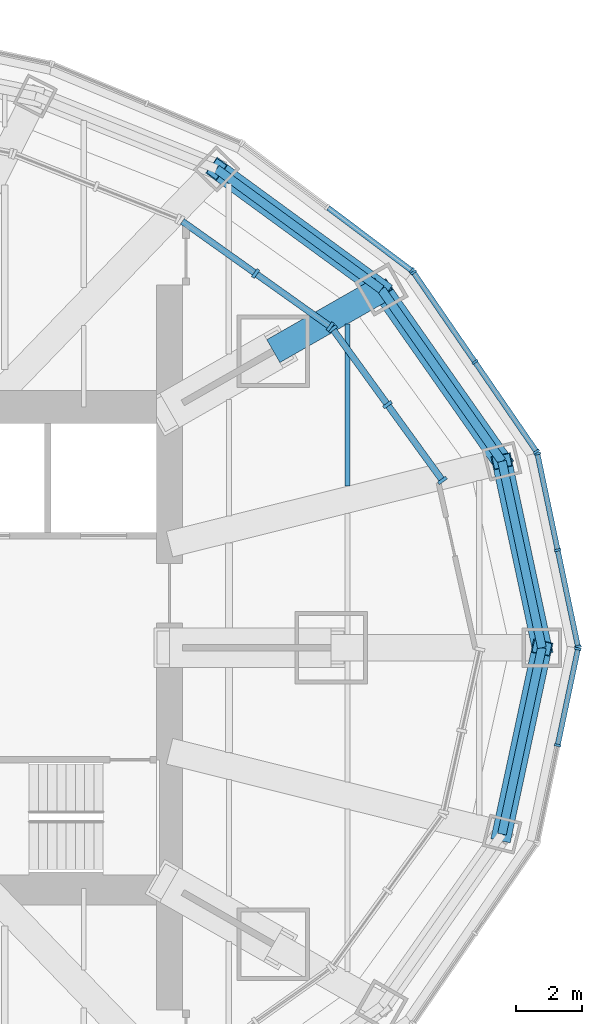
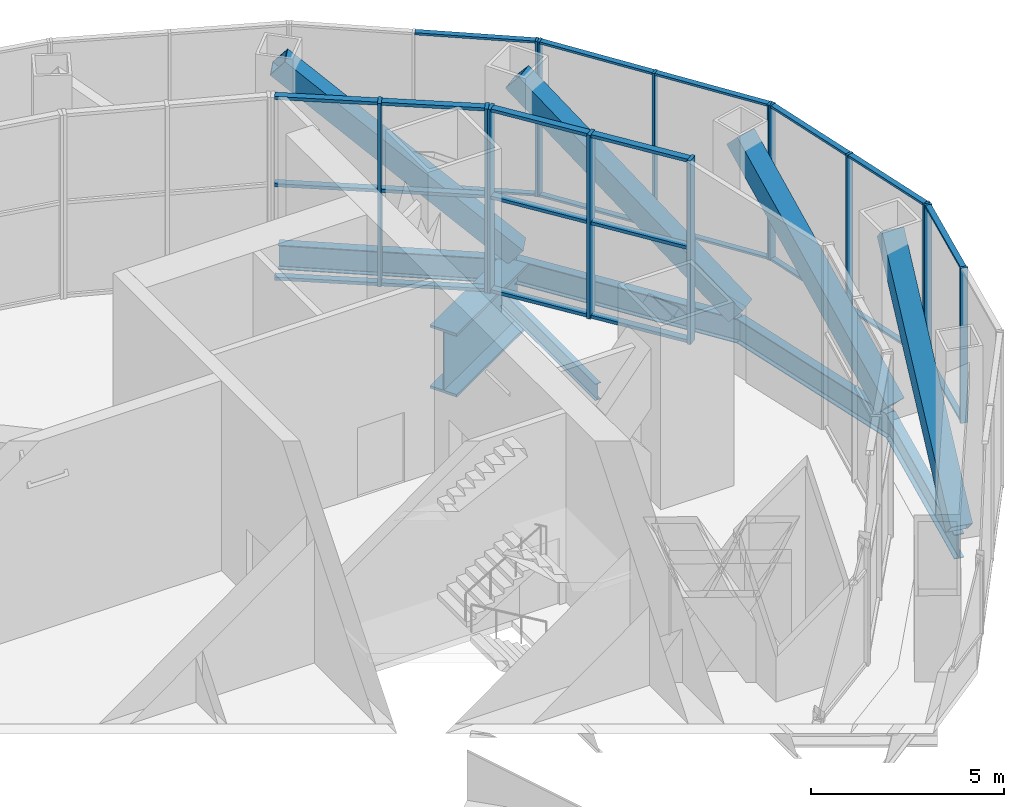
# One storey, part 9 of 21: 42 members, 6 beams, 6 elements without a shape of their own.
"""IFC4 building model written with IfcOpenShell, lengths in metres."""

from ifc_helpers import new_model, si_unit, direction, frame, origin, origin_2d, place, context, subcontext, project, spatial, rectangle, hollow_rectangle, i_section, extrude, material, material_profile, profile_set, type_object, element, aggregate, save


model = new_model("IFC4")

# Units and contexts
model_context = context("Model", 3, precision=1e-05, world=origin(), true_north=direction((0.0, 1.0)))
body_context = subcontext(model_context, "Body", "Model", "MODEL_VIEW")
ifc_project = project(units=[si_unit("LENGTHUNIT", "METRE"), si_unit("AREAUNIT", "SQUARE_METRE"), si_unit("VOLUMEUNIT", "CUBIC_METRE"), si_unit("PLANEANGLEUNIT", "RADIAN"), si_unit("MASSUNIT", "GRAM", prefix="KILO")], contexts=[model_context])

# Site, building, storey
site_placement = place(None, origin())
site = spatial("IfcSite", under=ifc_project, at=site_placement, CompositionType="ELEMENT")
building_placement = place(site_placement, origin())
building = spatial("IfcBuilding", under=site, at=building_placement, Name="Lantaw Convention Tower", CompositionType="ELEMENT")
storey_placement = place(building_placement, frame((0.0, 0.0, 284.39990234375)))
storey = spatial("IfcBuildingStorey", under=building, at=storey_placement, Name="L66", CompositionType="ELEMENT", Elevation=284.39990234375)

# Beams
ifc_material_1 = material(Name="Steel ASTM A992", Category="steel")
ifc_material_profile_1 = material_profile(ifc_material_1, i_section(OverallWidth=0.2666015625, OverallDepth=0.76953125, WebThickness=0.015625, FlangeThickness=0.025390625, FilletRadius=0.0126953125, at=origin_2d()), Name="W30X132")
ifc_profile_set_1 = profile_set([ifc_material_profile_1], Name="Steel ASTM A992")
beam_type_1 = type_object("IfcBeamType", Name="Beam E W30X132", PredefinedType="SPANDREL", material=ifc_profile_set_1)
beam_1_placement = place(storey_placement, frame((23.89990234375, 0.0, -0.584716796875), z_axis=(-0.209658780372, 0.977774614015, 0.0), x_axis=(-0.977774614015, -0.209658780372, 0.0)))
element("IfcBeam", 1, at=beam_1_placement, inside=storey, type_object=beam_type_1, Name="Edge beam 1", PredefinedType="SPANDREL", context=body_context, shape_type="SweptSolid", body=[
    extrude(i_section(OverallWidth=0.2666015625, OverallDepth=0.76953125, WebThickness=0.015625, FlangeThickness=0.025390625, FilletRadius=0.0126953125, at=origin_2d()), origin(), (0.0, 0.0, 1.0), 5.78515625),
])
beam_2_placement = place(storey_placement, frame((22.68701171875, 5.656494140625, -0.584716796875), z_axis=(-0.574400527612, 0.81857439117, 0.0), x_axis=(-0.81857439117, -0.574400527612, 0.0)))
element("IfcBeam", 2, at=beam_2_placement, inside=storey, type_object=beam_type_1, Name="Edge beam 2", PredefinedType="SPANDREL", context=body_context, shape_type="SweptSolid", body=[
    extrude(i_section(OverallWidth=0.2666015625, OverallDepth=0.76953125, WebThickness=0.015625, FlangeThickness=0.025390625, FilletRadius=0.0126953125, at=origin_2d()), origin(), (0.0, 0.0, 1.0), 6.3720703125),
])
beam_3_placement = place(storey_placement, frame((19.02685546875, 10.87255859375, -0.584716796875), z_axis=(-0.807371616826, 0.59004328006, 0.0), x_axis=(-0.59004328006, -0.807371616826, 0.0)))
element("IfcBeam", 3, at=beam_3_placement, inside=storey, type_object=beam_type_1, Name="Edge beam 3", PredefinedType="SPANDREL", context=body_context, shape_type="SweptSolid", body=[
    extrude(i_section(OverallWidth=0.2666015625, OverallDepth=0.76953125, WebThickness=0.015625, FlangeThickness=0.025390625, FilletRadius=0.0126953125, at=origin_2d()), origin(), (0.0, 0.0, 1.0), 6.192138671875),
])
beam_4_placement = place(storey_placement, frame((22.68701171875, -5.656494140625, -0.584716796875), z_axis=(0.209658780372, 0.977774614015, 0.0), x_axis=(-0.977774614015, 0.209658780372, 0.0)))
element("IfcBeam", 4, at=beam_4_placement, inside=storey, type_object=beam_type_1, Name="Edge beam 24", PredefinedType="SPANDREL", context=body_context, shape_type="SweptSolid", body=[
    extrude(i_section(OverallWidth=0.2666015625, OverallDepth=0.76953125, WebThickness=0.015625, FlangeThickness=0.025390625, FilletRadius=0.0126953125, at=origin_2d()), origin(), (0.0, 0.0, 1.0), 5.78515625),
])
ifc_material_2 = material(Name="Steel ASTM A572 Grade 50", Category="steel")
ifc_material_profile_2 = material_profile(ifc_material_2, i_section(OverallWidth=0.800048828125, OverallDepth=2.0, WebThickness=0.030029296875, FlangeThickness=0.080078125, at=origin_2d()), Name="PG2000X800X30X80")
ifc_profile_set_2 = profile_set([ifc_material_profile_2], Name="Steel ASTM A572 Grade 50")
beam_type_2 = type_object("IfcBeamType", Name="Beam HG PG2000X800X30X80", PredefinedType="BEAM", material=ifc_profile_set_2)
beam_5_placement = place(storey_placement, frame((15.75, 9.0, -1.199951171875), z_axis=(0.868235180478, 0.496152870978, 0.0), x_axis=(-0.496152870978, 0.868235180478, 0.0)))
element("IfcBeam", 5, at=beam_5_placement, inside=storey, type_object=beam_type_2, Name="Floor girder on ray 3", PredefinedType="BEAM", context=body_context, shape_type="SweptSolid", body=[
    extrude(i_section(OverallWidth=0.800048828125, OverallDepth=2.0, WebThickness=0.030029296875, FlangeThickness=0.080078125, at=origin_2d()), origin(), (0.0, 0.0, 1.0), 3.774169921875),
])
ifc_material_profile_3 = material_profile(ifc_material_1, i_section(OverallWidth=0.165771484375, OverallDepth=0.5283203125, WebThickness=0.009765625, FlangeThickness=0.013671875, FilletRadius=0.012939453125, at=origin_2d()), Name="W21X50")
ifc_profile_set_3 = profile_set([ifc_material_profile_3], Name="Steel ASTM A992")
beam_type_3 = type_object("IfcBeamType", Name="Beam J W21X50", PredefinedType="JOIST", material=ifc_profile_set_3)
beam_6_placement = place(storey_placement, frame((18.0, 4.900146484375, -0.464111328125), z_axis=(0.0, 1.0, 0.0), x_axis=(-1.0, 0.0, 0.0)))
element("IfcBeam", 6, at=beam_6_placement, inside=storey, type_object=beam_type_3, Name="Floor joist", PredefinedType="JOIST", context=body_context, shape_type="SweptSolid", body=[
    extrude(i_section(OverallWidth=0.165771484375, OverallDepth=0.5283203125, WebThickness=0.009765625, FlangeThickness=0.013671875, FilletRadius=0.012939453125, at=origin_2d()), origin(), (0.0, 0.0, 1.0), 4.9248046875),
])

# Curtain wall, members
ifc_material_3 = material(Name="Aluminium framed curtain wall", Category="aluminium")
curtain_wall_type_1 = type_object("IfcCurtainWallType", Name="Lantern corner louvre curtain wall, pale aluminium", PredefinedType="USERDEFINED", material=ifc_material_3)
curtain_wall_1_placement = place(storey_placement, origin())
curtain_wall_1 = element("IfcCurtainWall", 7, at=curtain_wall_1_placement, inside=storey, type_object=curtain_wall_type_1, Name="Lantern corner louvre curtain wall, pale aluminium L66", ObjectType="LOUVRE WALL", PredefinedType="USERDEFINED")
ifc_material_4 = material(Name="Aluminium 6063-T6", Category="aluminium")
ifc_material_profile_4 = material_profile(ifc_material_4, rectangle(XDim=0.300048828125, YDim=0.10009765625, at=origin_2d()), Name="CW-LC mullion 100x300")
ifc_profile_set_4 = profile_set([ifc_material_profile_4], Name="Aluminium 6063-T6")
member_type_1 = type_object("IfcMemberType", Name="CW-LC mullion 100x300", PredefinedType="MULLION", material=ifc_profile_set_4)
member_1_placement = place(storey_placement, frame((17.477783203125, 9.7431640625, 0.0), z_axis=(0.0, 0.0, 1.0), x_axis=(-0.579683901346, -0.814841441337, 0.0)))
member_1 = element("IfcMember", 8, at=member_1_placement, type_object=member_type_1, Name="CW-LC mullion 1", PredefinedType="MULLION", context=body_context, shape_type="SweptSolid", body=[
    extrude(rectangle(XDim=0.300048828125, YDim=0.10009765625, at=origin_2d()), origin(), (0.0, 0.0, 1.0), 5.800048828125),
])
member_2_placement = place(storey_placement, frame((15.212158203125, 11.354736328125, 0.0), z_axis=(0.0, 0.0, 1.0), x_axis=(-0.579683901346, -0.814841441337, 0.0)))
member_2 = element("IfcMember", 9, at=member_2_placement, type_object=member_type_1, Name="CW-LC mullion 2", PredefinedType="MULLION", context=body_context, shape_type="SweptSolid", body=[
    extrude(rectangle(XDim=0.300048828125, YDim=0.10009765625, at=origin_2d()), origin(), (0.0, 0.0, 1.0), 5.800048828125),
])
ifc_material_profile_5 = material_profile(ifc_material_4, rectangle(XDim=0.199951171875, YDim=0.10009765625, at=origin_2d()), Name="CW-LC transom 100x200")
ifc_profile_set_5 = profile_set([ifc_material_profile_5], Name="Aluminium 6063-T6")
member_type_2 = type_object("IfcMemberType", Name="CW-LC transom 100x200", PredefinedType="USERDEFINED", material=ifc_profile_set_5)
member_3_placement = place(storey_placement, frame((17.43701171875, 9.77197265625, 0.050048828125), z_axis=(-0.814809043546, 0.579729439098, 0.0), x_axis=(-0.579729439098, -0.814809043546, 0.0)))
member_3 = element("IfcMember", 10, at=member_3_placement, type_object=member_type_2, Name="CW-LC transom 1.1", ObjectType="TRANSOM", PredefinedType="USERDEFINED", context=body_context, shape_type="SweptSolid", body=[
    extrude(rectangle(XDim=0.199951171875, YDim=0.10009765625, at=origin_2d()), origin(), (0.0, 0.0, 1.0), 2.680419921875),
])
member_4_placement = place(storey_placement, frame((17.43701171875, 9.77197265625, 3.0), z_axis=(-0.814809043546, 0.579729439098, 0.0), x_axis=(-0.579729439098, -0.814809043546, 0.0)))
member_4 = element("IfcMember", 11, at=member_4_placement, type_object=member_type_2, Name="CW-LC transom 1.2", ObjectType="TRANSOM", PredefinedType="USERDEFINED", context=body_context, shape_type="SweptSolid", body=[
    extrude(rectangle(XDim=0.199951171875, YDim=0.10009765625, at=origin_2d()), origin(), (0.0, 0.0, 1.0), 2.680419921875),
])
member_5_placement = place(storey_placement, frame((17.43701171875, 9.77197265625, 5.75), z_axis=(-0.814809043546, 0.579729439098, 0.0), x_axis=(-0.579729439098, -0.814809043546, 0.0)))
member_5 = element("IfcMember", 12, at=member_5_placement, type_object=member_type_2, Name="CW-LC transom 1.3", ObjectType="TRANSOM", PredefinedType="USERDEFINED", context=body_context, shape_type="SweptSolid", body=[
    extrude(rectangle(XDim=0.199951171875, YDim=0.10009765625, at=origin_2d()), origin(), (0.0, 0.0, 1.0), 2.680419921875),
])
member_6_placement = place(storey_placement, frame((15.17138671875, 11.3837890625, 0.050048828125), z_axis=(-0.814852067311, 0.579668964495, 0.0), x_axis=(-0.579668964495, -0.814852067311, 0.0)))
member_6 = element("IfcMember", 13, at=member_6_placement, type_object=member_type_2, Name="CW-LC transom 2.1", ObjectType="TRANSOM", PredefinedType="USERDEFINED", context=body_context, shape_type="SweptSolid", body=[
    extrude(rectangle(XDim=0.199951171875, YDim=0.10009765625, at=origin_2d()), origin(), (0.0, 0.0, 1.0), 2.680419921875),
])
member_7_placement = place(storey_placement, frame((15.17138671875, 11.3837890625, 3.0), z_axis=(-0.814852067311, 0.579668964495, 0.0), x_axis=(-0.579668964495, -0.814852067311, 0.0)))
member_7 = element("IfcMember", 14, at=member_7_placement, type_object=member_type_2, Name="CW-LC transom 2.2", ObjectType="TRANSOM", PredefinedType="USERDEFINED", context=body_context, shape_type="SweptSolid", body=[
    extrude(rectangle(XDim=0.199951171875, YDim=0.10009765625, at=origin_2d()), origin(), (0.0, 0.0, 1.0), 2.680419921875),
])
member_8_placement = place(storey_placement, frame((15.17138671875, 11.3837890625, 5.75), z_axis=(-0.814852067311, 0.579668964495, 0.0), x_axis=(-0.579668964495, -0.814852067311, 0.0)))
member_8 = element("IfcMember", 15, at=member_8_placement, type_object=member_type_2, Name="CW-LC transom 2.3", ObjectType="TRANSOM", PredefinedType="USERDEFINED", context=body_context, shape_type="SweptSolid", body=[
    extrude(rectangle(XDim=0.199951171875, YDim=0.10009765625, at=origin_2d()), origin(), (0.0, 0.0, 1.0), 2.680419921875),
])
aggregate(curtain_wall_1, [member_1, member_2, member_3, member_4, member_5, member_6, member_7, member_8])

curtain_wall_type_2 = type_object("IfcCurtainWallType", Name="LANTERN glazing curtain wall, pale aluminium", PredefinedType="USERDEFINED", material=ifc_material_3)
curtain_wall_2_placement = place(storey_placement, origin())
curtain_wall_2 = element("IfcCurtainWall", 16, at=curtain_wall_2_placement, inside=storey, type_object=curtain_wall_type_2, Name="LANTERN glazing curtain wall, pale aluminium L66", ObjectType="LANTERN GLAZING", PredefinedType="USERDEFINED")
ifc_material_profile_6 = material_profile(ifc_material_4, rectangle(XDim=0.300048828125, YDim=0.10009765625, at=origin_2d()), Name="CW-LN mullion 100x300")
ifc_profile_set_6 = profile_set([ifc_material_profile_6], Name="Aluminium 6063-T6")
member_type_3 = type_object("IfcMemberType", Name="CW-LN mullion 100x300", PredefinedType="MULLION", material=ifc_profile_set_6)
member_9_placement = place(storey_placement, frame((20.87939453125, 5.076171875, 0.0), z_axis=(0.0, 0.0, 1.0), x_axis=(-0.809741800193, -0.586786346995, 0.0)))
member_9 = element("IfcMember", 17, at=member_9_placement, type_object=member_type_3, Name="CW-LN mullion 1", PredefinedType="MULLION", context=body_context, shape_type="SweptSolid", body=[
    extrude(rectangle(XDim=0.300048828125, YDim=0.10009765625, at=origin_2d()), origin(), (0.0, 0.0, 1.0), 5.800048828125),
])
member_10_placement = place(storey_placement, frame((19.213623046875, 7.375, 0.0), z_axis=(0.0, 0.0, 1.0), x_axis=(-0.809741800193, -0.586786346995, 0.0)))
member_10 = element("IfcMember", 18, at=member_10_placement, type_object=member_type_3, Name="CW-LN mullion 2", PredefinedType="MULLION", context=body_context, shape_type="SweptSolid", body=[
    extrude(rectangle(XDim=0.300048828125, YDim=0.10009765625, at=origin_2d()), origin(), (0.0, 0.0, 1.0), 5.800048828125),
])
member_11_placement = place(storey_placement, frame((17.5478515625, 9.673583984375, 0.0), z_axis=(0.0, 0.0, 1.0), x_axis=(-0.809741800193, -0.586786346995, 0.0)))
member_11 = element("IfcMember", 19, at=member_11_placement, type_object=member_type_3, Name="CW-LN mullion 3", PredefinedType="MULLION", context=body_context, shape_type="SweptSolid", body=[
    extrude(rectangle(XDim=0.300048828125, YDim=0.10009765625, at=origin_2d()), origin(), (0.0, 0.0, 1.0), 5.800048828125),
])
ifc_material_profile_7 = material_profile(ifc_material_4, rectangle(XDim=0.199951171875, YDim=0.10009765625, at=origin_2d()), Name="CW-LN transom 100x200")
ifc_profile_set_7 = profile_set([ifc_material_profile_7], Name="Aluminium 6063-T6")
member_type_4 = type_object("IfcMemberType", Name="CW-LN transom 100x200", PredefinedType="USERDEFINED", material=ifc_profile_set_7)
member_12_placement = place(storey_placement, frame((20.85009765625, 5.11669921875, 0.050048828125), z_axis=(-0.586798118951, 0.809733269414, 0.0), x_axis=(-0.809733269414, -0.586798118951, 0.0)))
member_12 = element("IfcMember", 20, at=member_12_placement, type_object=member_type_4, Name="CW-LN transom 1.1", ObjectType="TRANSOM", PredefinedType="USERDEFINED", context=body_context, shape_type="SweptSolid", body=[
    extrude(rectangle(XDim=0.199951171875, YDim=0.10009765625, at=origin_2d()), origin(), (0.0, 0.0, 1.0), 2.739013671875),
])
member_13_placement = place(storey_placement, frame((20.85009765625, 5.11669921875, 3.0), z_axis=(-0.586798118951, 0.809733269414, 0.0), x_axis=(-0.809733269414, -0.586798118951, 0.0)))
member_13 = element("IfcMember", 21, at=member_13_placement, type_object=member_type_4, Name="CW-LN transom 1.2", ObjectType="TRANSOM", PredefinedType="USERDEFINED", context=body_context, shape_type="SweptSolid", body=[
    extrude(rectangle(XDim=0.199951171875, YDim=0.10009765625, at=origin_2d()), origin(), (0.0, 0.0, 1.0), 2.739013671875),
])
member_14_placement = place(storey_placement, frame((20.85009765625, 5.11669921875, 5.75), z_axis=(-0.586798118951, 0.809733269414, 0.0), x_axis=(-0.809733269414, -0.586798118951, 0.0)))
member_14 = element("IfcMember", 22, at=member_14_placement, type_object=member_type_4, Name="CW-LN transom 1.3", ObjectType="TRANSOM", PredefinedType="USERDEFINED", context=body_context, shape_type="SweptSolid", body=[
    extrude(rectangle(XDim=0.199951171875, YDim=0.10009765625, at=origin_2d()), origin(), (0.0, 0.0, 1.0), 2.739013671875),
])
member_15_placement = place(storey_placement, frame((19.184326171875, 7.415283203125, 0.050048828125), z_axis=(-0.586798118951, 0.809733269414, 0.0), x_axis=(-0.809733269414, -0.586798118951, 0.0)))
member_15 = element("IfcMember", 23, at=member_15_placement, type_object=member_type_4, Name="CW-LN transom 2.1", ObjectType="TRANSOM", PredefinedType="USERDEFINED", context=body_context, shape_type="SweptSolid", body=[
    extrude(rectangle(XDim=0.199951171875, YDim=0.10009765625, at=origin_2d()), origin(), (0.0, 0.0, 1.0), 2.739013671875),
])
member_16_placement = place(storey_placement, frame((19.184326171875, 7.415283203125, 3.0), z_axis=(-0.586798118951, 0.809733269414, 0.0), x_axis=(-0.809733269414, -0.586798118951, 0.0)))
member_16 = element("IfcMember", 24, at=member_16_placement, type_object=member_type_4, Name="CW-LN transom 2.2", ObjectType="TRANSOM", PredefinedType="USERDEFINED", context=body_context, shape_type="SweptSolid", body=[
    extrude(rectangle(XDim=0.199951171875, YDim=0.10009765625, at=origin_2d()), origin(), (0.0, 0.0, 1.0), 2.739013671875),
])
member_17_placement = place(storey_placement, frame((19.184326171875, 7.415283203125, 5.75), z_axis=(-0.586798118951, 0.809733269414, 0.0), x_axis=(-0.809733269414, -0.586798118951, 0.0)))
member_17 = element("IfcMember", 25, at=member_17_placement, type_object=member_type_4, Name="CW-LN transom 2.3", ObjectType="TRANSOM", PredefinedType="USERDEFINED", context=body_context, shape_type="SweptSolid", body=[
    extrude(rectangle(XDim=0.199951171875, YDim=0.10009765625, at=origin_2d()), origin(), (0.0, 0.0, 1.0), 2.739013671875),
])
aggregate(curtain_wall_2, [member_9, member_10, member_11, member_12, member_13, member_14, member_15, member_16, member_17])

curtain_wall_type_3 = type_object("IfcCurtainWallType", Name="Plant floor louvre wall, pale aluminium", PredefinedType="USERDEFINED", material=ifc_material_3)
curtain_wall_3_placement = place(storey_placement, origin())
curtain_wall_3 = element("IfcCurtainWall", 26, at=curtain_wall_3_placement, inside=storey, type_object=curtain_wall_type_3, Name="Plant floor louvre wall, pale aluminium L66", ObjectType="LOUVRE WALL", PredefinedType="USERDEFINED")
ifc_material_profile_8 = material_profile(ifc_material_4, rectangle(XDim=0.199951171875, YDim=0.070068359375, at=origin_2d()), Name="CW-LV mullion 70x200")
ifc_profile_set_8 = profile_set([ifc_material_profile_8], Name="Aluminium 6063-T6")
member_type_5 = type_object("IfcMemberType", Name="CW-LV mullion 70x200", PredefinedType="MULLION", material=ifc_profile_set_8)
member_18_placement = place(storey_placement, frame((24.99267578125, 0.0341796875, 1.10009765625), z_axis=(0.0, 0.0, 1.0), x_axis=(-0.978591117263, -0.205814054946, 0.0)))
member_18 = element("IfcMember", 27, at=member_18_placement, type_object=member_type_5, Name="CW-LV mullion 1", PredefinedType="MULLION", context=body_context, shape_type="SweptSolid", body=[
    extrude(rectangle(XDim=0.199951171875, YDim=0.070068359375, at=origin_2d()), origin(), (0.0, 0.0, 1.0), 4.89990234375),
])
member_19_placement = place(storey_placement, frame((24.377197265625, 2.96142578125, 1.10009765625), z_axis=(0.0, 0.0, 1.0), x_axis=(-0.978591117263, -0.205814054946, 0.0)))
member_19 = element("IfcMember", 28, at=member_19_placement, type_object=member_type_5, Name="CW-LV mullion 2", PredefinedType="MULLION", context=body_context, shape_type="SweptSolid", body=[
    extrude(rectangle(XDim=0.199951171875, YDim=0.070068359375, at=origin_2d()), origin(), (0.0, 0.0, 1.0), 4.89990234375),
])
member_20_placement = place(storey_placement, frame((23.761474609375, 5.888427734375, 1.10009765625), z_axis=(0.0, 0.0, 1.0), x_axis=(-0.978591117263, -0.205814054946, 0.0)))
member_20 = element("IfcMember", 29, at=member_20_placement, type_object=member_type_5, Name="CW-LV mullion 3", PredefinedType="MULLION", context=body_context, shape_type="SweptSolid", body=[
    extrude(rectangle(XDim=0.199951171875, YDim=0.070068359375, at=origin_2d()), origin(), (0.0, 0.0, 1.0), 4.89990234375),
])

curtain_wall_4_placement = place(storey_placement, origin())
curtain_wall_4 = element("IfcCurtainWall", 30, at=curtain_wall_4_placement, inside=storey, type_object=curtain_wall_type_3, Name="Plant floor louvre wall, pale aluminium L66", ObjectType="LOUVRE WALL", PredefinedType="USERDEFINED")
member_21_placement = place(storey_placement, frame((23.734619140625, 5.951416015625, 1.10009765625), z_axis=(0.0, 0.0, 1.0), x_axis=(-0.824449977189, -0.565934832921, 0.0)))
member_21 = element("IfcMember", 31, at=member_21_placement, type_object=member_type_5, Name="CW-LV mullion 1", PredefinedType="MULLION", context=body_context, shape_type="SweptSolid", body=[
    extrude(rectangle(XDim=0.199951171875, YDim=0.070068359375, at=origin_2d()), origin(), (0.0, 0.0, 1.0), 4.89990234375),
])
member_22_placement = place(storey_placement, frame((21.8681640625, 8.67041015625, 1.10009765625), z_axis=(0.0, 0.0, 1.0), x_axis=(-0.824449977189, -0.565934832921, 0.0)))
member_22 = element("IfcMember", 32, at=member_22_placement, type_object=member_type_5, Name="CW-LV mullion 2", PredefinedType="MULLION", context=body_context, shape_type="SweptSolid", body=[
    extrude(rectangle(XDim=0.199951171875, YDim=0.070068359375, at=origin_2d()), origin(), (0.0, 0.0, 1.0), 4.89990234375),
])
member_23_placement = place(storey_placement, frame((20.001708984375, 11.389404296875, 1.10009765625), z_axis=(0.0, 0.0, 1.0), x_axis=(-0.824449977189, -0.565934832921, 0.0)))
member_23 = element("IfcMember", 33, at=member_23_placement, type_object=member_type_5, Name="CW-LV mullion 3", PredefinedType="MULLION", context=body_context, shape_type="SweptSolid", body=[
    extrude(rectangle(XDim=0.199951171875, YDim=0.070068359375, at=origin_2d()), origin(), (0.0, 0.0, 1.0), 4.89990234375),
])

# Curtain wall, member
curtain_wall_5_placement = place(storey_placement, origin())
curtain_wall_5 = element("IfcCurtainWall", 34, at=curtain_wall_5_placement, inside=storey, type_object=curtain_wall_type_3, Name="Plant floor louvre wall, pale aluminium L66", ObjectType="LOUVRE WALL", PredefinedType="USERDEFINED")
member_24_placement = place(storey_placement, frame((19.953857421875, 11.439208984375, 1.10009765625), z_axis=(0.0, 0.0, 1.0), x_axis=(-0.600642756762, -0.799517528732, 0.0)))
member_24 = element("IfcMember", 35, at=member_24_placement, type_object=member_type_5, Name="CW-LV mullion 1", PredefinedType="MULLION", context=body_context, shape_type="SweptSolid", body=[
    extrude(rectangle(XDim=0.199951171875, YDim=0.070068359375, at=origin_2d()), origin(), (0.0, 0.0, 1.0), 4.89990234375),
])

# Curtain wall, members
curtain_wall_6_placement = place(storey_placement, origin())
curtain_wall_6 = element("IfcCurtainWall", 36, at=curtain_wall_6_placement, inside=storey, type_object=curtain_wall_type_3, Name="Plant floor louvre wall, pale aluminium L66", ObjectType="LOUVRE WALL", PredefinedType="USERDEFINED")
member_25_placement = place(storey_placement, frame((24.377197265625, -2.96142578125, 1.10009765625), z_axis=(0.0, 0.0, 1.0), x_axis=(-0.978591117263, 0.205814054946, 0.0)))
member_25 = element("IfcMember", 37, at=member_25_placement, type_object=member_type_5, Name="CW-LV mullion 2", PredefinedType="MULLION", context=body_context, shape_type="SweptSolid", body=[
    extrude(rectangle(XDim=0.199951171875, YDim=0.070068359375, at=origin_2d()), origin(), (0.0, 0.0, 1.0), 4.89990234375),
])
member_26_placement = place(storey_placement, frame((24.99267578125, -0.0341796875, 1.10009765625), z_axis=(0.0, 0.0, 1.0), x_axis=(-0.978591117263, 0.205814054946, 0.0)))
member_26 = element("IfcMember", 38, at=member_26_placement, type_object=member_type_5, Name="CW-LV mullion 3", PredefinedType="MULLION", context=body_context, shape_type="SweptSolid", body=[
    extrude(rectangle(XDim=0.199951171875, YDim=0.070068359375, at=origin_2d()), origin(), (0.0, 0.0, 1.0), 4.89990234375),
])

# Member
ifc_material_profile_9 = material_profile(ifc_material_4, rectangle(XDim=0.159912109375, YDim=0.070068359375, at=origin_2d()), Name="CW-LV transom 70x160")
ifc_profile_set_9 = profile_set([ifc_material_profile_9], Name="Aluminium 6063-T6")
member_type_6 = type_object("IfcMemberType", Name="CW-LV transom 70x160", PredefinedType="USERDEFINED", material=ifc_profile_set_9)
member_27_placement = place(storey_placement, frame((24.985595703125, 0.068603515625, 1.135009765625), z_axis=(-0.205863045856, 0.978580812376, 0.0), x_axis=(-0.978580812376, -0.205863045856, 0.0)))
member_27 = element("IfcMember", 39, at=member_27_placement, type_object=member_type_6, Name="CW-LV transom 1.1", ObjectType="TRANSOM", PredefinedType="USERDEFINED", context=body_context, shape_type="SweptSolid", body=[
    extrude(rectangle(XDim=0.159912109375, YDim=0.070068359375, at=origin_2d()), origin(), (0.0, 0.0, 1.0), 2.9208984375),
])

member_28_placement = place(storey_placement, frame((24.985595703125, 0.068603515625, 5.965087890625), z_axis=(-0.205863045856, 0.978580812376, 0.0), x_axis=(-0.978580812376, -0.205863045856, 0.0)))
member_28 = element("IfcMember", 40, at=member_28_placement, type_object=member_type_6, Name="CW-LV transom 1.2", ObjectType="TRANSOM", PredefinedType="USERDEFINED", context=body_context, shape_type="SweptSolid", body=[
    extrude(rectangle(XDim=0.159912109375, YDim=0.070068359375, at=origin_2d()), origin(), (0.0, 0.0, 1.0), 2.9208984375),
])

member_29_placement = place(storey_placement, frame((24.369873046875, 2.99560546875, 1.135009765625), z_axis=(-0.205766173106, 0.978601186391, 0.0), x_axis=(-0.978601186391, -0.205766173106, 0.0)))
member_29 = element("IfcMember", 41, at=member_29_placement, type_object=member_type_6, Name="CW-LV transom 2.1", ObjectType="TRANSOM", PredefinedType="USERDEFINED", context=body_context, shape_type="SweptSolid", body=[
    extrude(rectangle(XDim=0.159912109375, YDim=0.070068359375, at=origin_2d()), origin(), (0.0, 0.0, 1.0), 2.921142578125),
])

member_30_placement = place(storey_placement, frame((24.369873046875, 2.99560546875, 5.965087890625), z_axis=(-0.205766173106, 0.978601186391, 0.0), x_axis=(-0.978601186391, -0.205766173106, 0.0)))
member_30 = element("IfcMember", 42, at=member_30_placement, type_object=member_type_6, Name="CW-LV transom 2.2", ObjectType="TRANSOM", PredefinedType="USERDEFINED", context=body_context, shape_type="SweptSolid", body=[
    extrude(rectangle(XDim=0.159912109375, YDim=0.070068359375, at=origin_2d()), origin(), (0.0, 0.0, 1.0), 2.921142578125),
])

aggregate(curtain_wall_3, [member_18, member_19, member_20, member_27, member_28, member_29, member_30])

member_31_placement = place(storey_placement, frame((23.71484375, 5.980224609375, 1.135009765625), z_axis=(-0.56594129057, 0.824445544368, 0.0), x_axis=(-0.824445544368, -0.56594129057, 0.0)))
member_31 = element("IfcMember", 43, at=member_31_placement, type_object=member_type_6, Name="CW-LV transom 1.1", ObjectType="TRANSOM", PredefinedType="USERDEFINED", context=body_context, shape_type="SweptSolid", body=[
    extrude(rectangle(XDim=0.159912109375, YDim=0.070068359375, at=origin_2d()), origin(), (0.0, 0.0, 1.0), 3.22802734375),
])

member_32_placement = place(storey_placement, frame((23.71484375, 5.980224609375, 5.965087890625), z_axis=(-0.56594129057, 0.824445544368, 0.0), x_axis=(-0.824445544368, -0.56594129057, 0.0)))
member_32 = element("IfcMember", 44, at=member_32_placement, type_object=member_type_6, Name="CW-LV transom 1.2", ObjectType="TRANSOM", PredefinedType="USERDEFINED", context=body_context, shape_type="SweptSolid", body=[
    extrude(rectangle(XDim=0.159912109375, YDim=0.070068359375, at=origin_2d()), origin(), (0.0, 0.0, 1.0), 3.22802734375),
])

member_33_placement = place(storey_placement, frame((21.848388671875, 8.69921875, 1.135009765625), z_axis=(-0.56594129057, 0.824445544368, 0.0), x_axis=(-0.824445544368, -0.56594129057, 0.0)))
member_33 = element("IfcMember", 45, at=member_33_placement, type_object=member_type_6, Name="CW-LV transom 2.1", ObjectType="TRANSOM", PredefinedType="USERDEFINED", context=body_context, shape_type="SweptSolid", body=[
    extrude(rectangle(XDim=0.159912109375, YDim=0.070068359375, at=origin_2d()), origin(), (0.0, 0.0, 1.0), 3.22802734375),
])

member_34_placement = place(storey_placement, frame((21.848388671875, 8.69921875, 5.965087890625), z_axis=(-0.56594129057, 0.824445544368, 0.0), x_axis=(-0.824445544368, -0.56594129057, 0.0)))
member_34 = element("IfcMember", 46, at=member_34_placement, type_object=member_type_6, Name="CW-LV transom 2.2", ObjectType="TRANSOM", PredefinedType="USERDEFINED", context=body_context, shape_type="SweptSolid", body=[
    extrude(rectangle(XDim=0.159912109375, YDim=0.070068359375, at=origin_2d()), origin(), (0.0, 0.0, 1.0), 3.22802734375),
])

aggregate(curtain_wall_4, [member_21, member_22, member_23, member_31, member_32, member_33, member_34])

member_35_placement = place(storey_placement, frame((19.926025390625, 11.460205078125, 1.135009765625), z_axis=(-0.799496049611, 0.600671346626, 0.0), x_axis=(-0.600671346626, -0.799496049611, 0.0)))
member_35 = element("IfcMember", 47, at=member_35_placement, type_object=member_type_6, Name="CW-LV transom 1.1", ObjectType="TRANSOM", PredefinedType="USERDEFINED", context=body_context, shape_type="SweptSolid", body=[
    extrude(rectangle(XDim=0.159912109375, YDim=0.070068359375, at=origin_2d()), origin(), (0.0, 0.0, 1.0), 3.14111328125),
])

member_36_placement = place(storey_placement, frame((19.926025390625, 11.460205078125, 5.965087890625), z_axis=(-0.799496049611, 0.600671346626, 0.0), x_axis=(-0.600671346626, -0.799496049611, 0.0)))
member_36 = element("IfcMember", 48, at=member_36_placement, type_object=member_type_6, Name="CW-LV transom 1.2", ObjectType="TRANSOM", PredefinedType="USERDEFINED", context=body_context, shape_type="SweptSolid", body=[
    extrude(rectangle(XDim=0.159912109375, YDim=0.070068359375, at=origin_2d()), origin(), (0.0, 0.0, 1.0), 3.14111328125),
])

aggregate(curtain_wall_5, [member_24, member_35, member_36])

member_37_placement = place(storey_placement, frame((24.38427734375, -2.927001953125, 1.135009765625), z_axis=(0.205863045856, 0.978580812376, 0.0), x_axis=(-0.978580812376, 0.205863045856, 0.0)))
member_37 = element("IfcMember", 49, at=member_37_placement, type_object=member_type_6, Name="CW-LV transom 2.1", ObjectType="TRANSOM", PredefinedType="USERDEFINED", context=body_context, shape_type="SweptSolid", body=[
    extrude(rectangle(XDim=0.159912109375, YDim=0.070068359375, at=origin_2d()), origin(), (0.0, 0.0, 1.0), 2.9208984375),
])

member_38_placement = place(storey_placement, frame((24.38427734375, -2.927001953125, 5.965087890625), z_axis=(0.205863045856, 0.978580812376, 0.0), x_axis=(-0.978580812376, 0.205863045856, 0.0)))
member_38 = element("IfcMember", 50, at=member_38_placement, type_object=member_type_6, Name="CW-LV transom 2.2", ObjectType="TRANSOM", PredefinedType="USERDEFINED", context=body_context, shape_type="SweptSolid", body=[
    extrude(rectangle(XDim=0.159912109375, YDim=0.070068359375, at=origin_2d()), origin(), (0.0, 0.0, 1.0), 2.9208984375),
])

aggregate(curtain_wall_6, [member_25, member_26, member_37, member_38])

# Members
ifc_material_profile_10 = material_profile(ifc_material_2, hollow_rectangle(XDim=0.60009765625, YDim=0.60009765625, WallThickness=0.031982421875, at=origin_2d()), Name="BOX600X32")
ifc_profile_set_10 = profile_set([ifc_material_profile_10], Name="Steel ASTM A572 Grade 50")
member_type_7 = type_object("IfcMemberType", Name="Member CR BOX600X32", PredefinedType="BRACE", material=ifc_profile_set_10)
member_39_placement = place(storey_placement, frame((23.89990234375, 0.0, -0.005859375), z_axis=(-0.151947611747, 0.708630075798, 0.689024918968), x_axis=(-0.977774614015, -0.209658780372, 0.0)))
element("IfcMember", 51, at=member_39_placement, inside=storey, type_object=member_type_7, Name="Crown ring truss diagonal 1", PredefinedType="BRACE", context=body_context, shape_type="SweptSolid", body=[
    extrude(hollow_rectangle(XDim=0.60009765625, YDim=0.60009765625, WallThickness=0.031982421875, at=origin_2d()), origin(), (0.0, 0.0, 1.0), 7.982177734375),
])
member_40_placement = place(storey_placement, frame((22.68701171875, 5.656494140625, -0.005859375), z_axis=(-0.434827715644, 0.619670100369, 0.653401732793), x_axis=(-0.81857439117, -0.574400527612, 0.0)))
element("IfcMember", 52, at=member_40_placement, inside=storey, type_object=member_type_7, Name="Crown ring truss diagonal 2", PredefinedType="BRACE", context=body_context, shape_type="SweptSolid", body=[
    extrude(hollow_rectangle(XDim=0.60009765625, YDim=0.60009765625, WallThickness=0.031982421875, at=origin_2d()), origin(), (0.0, 0.0, 1.0), 8.41748046875),
])
member_41_placement = place(storey_placement, frame((19.02685546875, 10.87255859375, -0.005859375), z_axis=(-0.603631856816, 0.441146199993, 0.664092321646), x_axis=(-0.59004328006, -0.807371616826, 0.0)))
element("IfcMember", 53, at=member_41_placement, inside=storey, type_object=member_type_7, Name="Crown ring truss diagonal 3", PredefinedType="BRACE", context=body_context, shape_type="SweptSolid", body=[
    extrude(hollow_rectangle(XDim=0.60009765625, YDim=0.60009765625, WallThickness=0.031982421875, at=origin_2d()), origin(), (0.0, 0.0, 1.0), 8.281982421875),
])
member_42_placement = place(storey_placement, frame((22.68701171875, -5.656494140625, -0.005859375), z_axis=(0.151947611747, 0.708630075798, 0.689024918968), x_axis=(-0.977774614015, 0.209658780372, 0.0)))
element("IfcMember", 54, at=member_42_placement, inside=storey, type_object=member_type_7, Name="Crown ring truss diagonal 24", PredefinedType="BRACE", context=body_context, shape_type="SweptSolid", body=[
    extrude(hollow_rectangle(XDim=0.60009765625, YDim=0.60009765625, WallThickness=0.031982421875, at=origin_2d()), origin(), (0.0, 0.0, 1.0), 7.982177734375),
])

save(model, "model.ifc")
